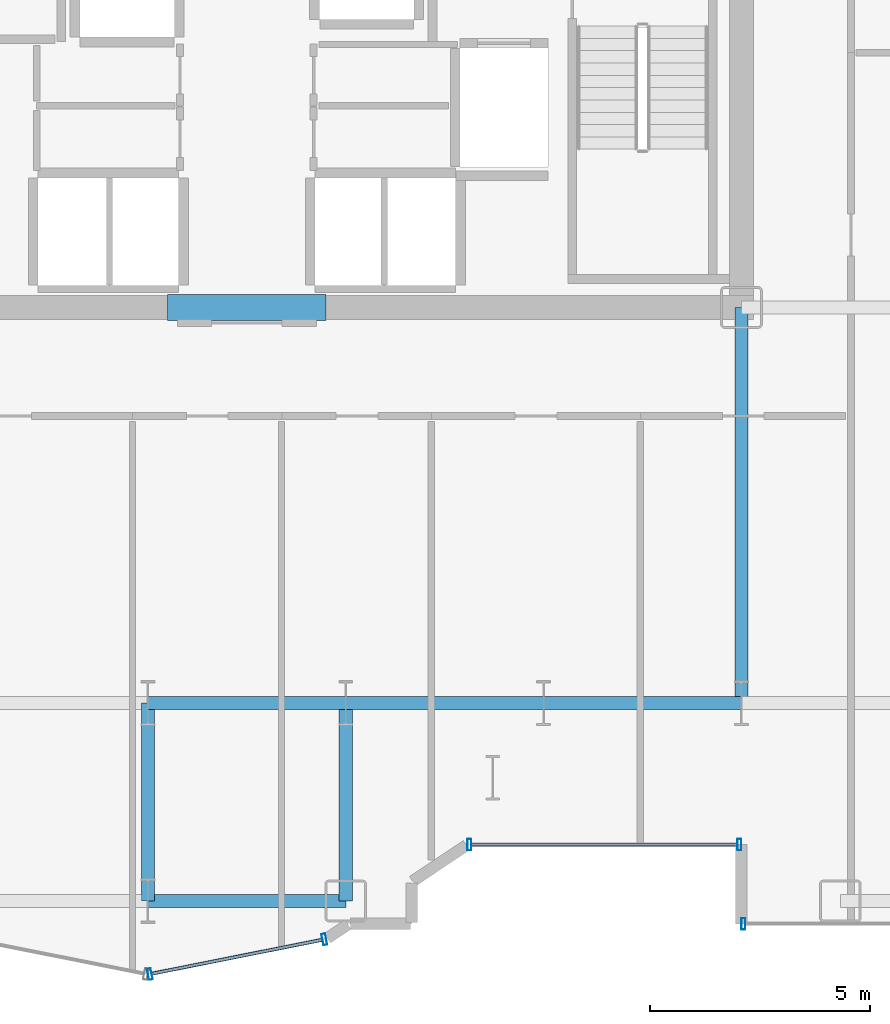
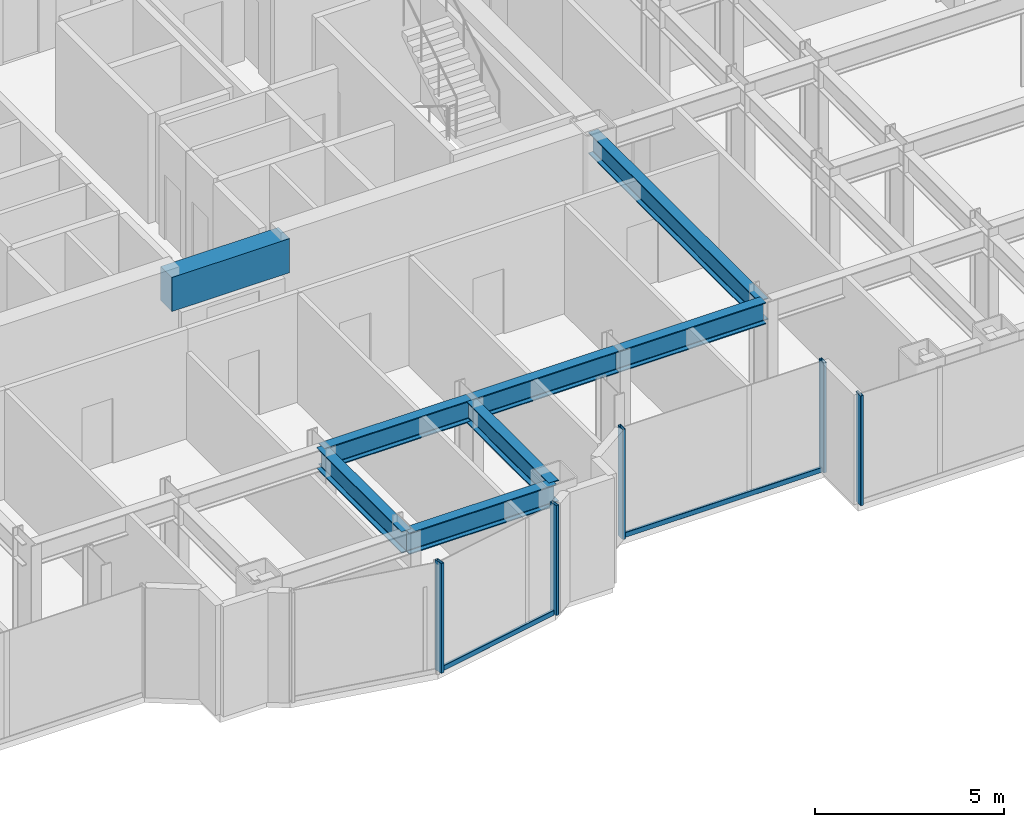
# One storey, part 6 of 26: 8 beams, 7 members, 3 elements without a shape of their own.
"""IFC4 building model written with IfcOpenShell, lengths in metres."""

from ifc_helpers import new_model, si_unit, direction, frame, origin, origin_2d, place, context, subcontext, project, spatial, rectangle, hollow_rectangle, i_section, extrude, source, transform, mapped, material, layer, layer_set, material_profile, profile_set, type_object, element, aggregate, save


model = new_model("IFC4")

# Units and contexts
model_context = context("Model", 3, precision=1e-05, world=origin(), true_north=direction((0.0, 1.0)))
body_context = subcontext(model_context, "Body", "Model", "MODEL_VIEW")
ifc_project = project(units=[si_unit("LENGTHUNIT", "METRE"), si_unit("AREAUNIT", "SQUARE_METRE"), si_unit("VOLUMEUNIT", "CUBIC_METRE"), si_unit("PLANEANGLEUNIT", "RADIAN"), si_unit("MASSUNIT", "GRAM", prefix="KILO")], contexts=[model_context])

# Site, building, storey
site_placement = place(None, origin())
site = spatial("IfcSite", under=ifc_project, at=site_placement, CompositionType="ELEMENT")
building_placement = place(site_placement, origin())
building = spatial("IfcBuilding", under=site, at=building_placement, Name="Nefas-Gora Pilgrimage Tower", CompositionType="ELEMENT")
storey_placement = place(building_placement, frame((0.0, 0.0, 106.0)))
storey = spatial("IfcBuildingStorey", under=building, at=storey_placement, Name="L25", CompositionType="ELEMENT", Elevation=106.0)

# Beams
ifc_material_1 = material(Name="Concrete C60/75", Category="concrete")
ifc_material_profile_1 = material_profile(ifc_material_1, rectangle(XDim=0.60009765625, YDim=1.10009765625, at=origin_2d()), Name="RC 600x1100")
ifc_profile_set_1 = profile_set([ifc_material_profile_1], Name="Concrete C60/75")
beam_type_1 = type_object("IfcBeamType", Name="BM-LIN-RC1100", PredefinedType="LINTEL", material=ifc_profile_set_1)
shared_shape_1 = source(origin(), body_context, "Body", "SweptSolid", [
    extrude(rectangle(XDim=0.60009765625, YDim=1.10009765625, at=origin_2d()), origin(), (0.0, 0.0, 1.0), 3.60009765625),
])
beam_1_placement = place(storey_placement, frame((-1.800048828125, -9.0, 3.0), z_axis=(1.0, 0.0, 0.0), x_axis=(0.0, 1.0, 0.0)))
element("IfcBeam", 1, at=beam_1_placement, inside=storey, type_object=beam_type_1, Name="L25 Core Coupling Lintel Beam S", PredefinedType="LINTEL", context=body_context, shape_type="MappedRepresentation", body=[
    mapped(shared_shape_1, transform((0.0, 0.0, 0.0), x_axis=(1.0, 0.0, 0.0), y_axis=(0.0, 1.0, 0.0), z_axis=(0.0, 0.0, 1.0), scale=1.0)),
])
ifc_material_2 = material(Name="Steel S355", Category="steel")
ifc_material_profile_2 = material_profile(ifc_material_2, i_section(OverallWidth=0.300048828125, OverallDepth=0.699951171875, WebThickness=0.01708984375, FlangeThickness=0.031982421875, FilletRadius=0.027099609375, at=origin_2d()), Name="HEB 700")
ifc_profile_set_2 = profile_set([ifc_material_profile_2], Name="Steel S355")
beam_type_2 = type_object("IfcBeamType", Name="BM-GIR-HEB700", PredefinedType="BEAM", material=ifc_profile_set_2)
shared_shape_2 = source(origin(), body_context, "Body", "SweptSolid", [
    extrude(i_section(OverallWidth=0.300048828125, OverallDepth=0.699951171875, WebThickness=0.01708984375, FlangeThickness=0.031982421875, FilletRadius=0.027099609375, at=origin_2d()), origin(), (0.0, 0.0, 1.0), 9.0),
])
beam_2_placement = place(storey_placement, frame((11.25, -18.0, 3.199951171875), z_axis=(0.0, 1.0, 0.0), x_axis=(-1.0, 0.0, 0.0)))
element("IfcBeam", 2, at=beam_2_placement, inside=storey, type_object=beam_type_2, Name="L25 G-02 beam", PredefinedType="BEAM", context=body_context, shape_type="MappedRepresentation", body=[
    mapped(shared_shape_2, transform((0.0, 0.0, 0.0), x_axis=(1.0, 0.0, 0.0), y_axis=(0.0, 1.0, 0.0), z_axis=(0.0, 0.0, 1.0), scale=1.0)),
])
shared_shape_3 = source(origin(), body_context, "Body", "SweptSolid", [
    extrude(i_section(OverallWidth=0.300048828125, OverallDepth=0.699951171875, WebThickness=0.01708984375, FlangeThickness=0.031982421875, FilletRadius=0.027099609375, at=origin_2d()), origin(), (0.0, 0.0, 1.0), 4.5),
])
for number, where, z_axis, x_axis, name in (
    (3, (-2.25, -22.5, 3.199951171875), (0.0, 1.0, 0.0), (-1.0, 0.0, 0.0), "L25 G-02 beam"),
    (4, (-2.25, -22.5, 3.199951171875), (1.0, 0.0, 0.0), (0.0, 1.0, 0.0), "L25 G-02 beam"),
    (5, (-2.25, -18.0, 3.199951171875), (1.0, 0.0, 0.0), (0.0, 1.0, 0.0), "L25 G-02 beam"),
    (6, (2.25, -22.5, 3.199951171875), (0.0, 1.0, 0.0), (-1.0, 0.0, 0.0), "L25 G-02 beam"),
    (7, (2.25, -18.0, 3.199951171875), (1.0, 0.0, 0.0), (0.0, 1.0, 0.0), "L25 G-02 beam"),
    (8, (6.75, -18.0, 3.199951171875), (1.0, 0.0, 0.0), (0.0, 1.0, 0.0), "L25 G-02 beam"),
):
    element("IfcBeam", number, at=place(storey_placement, frame(where, z_axis=z_axis, x_axis=x_axis)), inside=storey, type_object=beam_type_2, Name=name, PredefinedType="BEAM", context=body_context, shape_type="MappedRepresentation", body=[
        mapped(shared_shape_3, transform((0.0, 0.0, 0.0), x_axis=(1.0, 0.0, 0.0), y_axis=(0.0, 1.0, 0.0), z_axis=(0.0, 0.0, 1.0), scale=1.0)),
    ])

# Curtain wall, members
ifc_material_3 = material(Name="Dark ceramic-fritted solar-control aluminium-glass curtain wall", Category="aluminium")
ifc_layer_1 = layer(ifc_material_3, 0.219970703125)
ifc_layer_set_1 = layer_set([ifc_layer_1], Name="Dark ceramic-fritted solar-control aluminium-glass curtain wall")
curtain_wall_type_1 = type_object("IfcCurtainWallType", Name="CW-SYS-5", PredefinedType="NOTDEFINED", material=ifc_layer_set_1)
curtain_wall_1_placement = place(storey_placement, origin())
curtain_wall_1 = element("IfcCurtainWall", 9, at=curtain_wall_1_placement, inside=storey, type_object=curtain_wall_type_1, Name="L25 Unitised Curtain Wall CW5", PredefinedType="NOTDEFINED")
ifc_material_4 = material(Name="Anodised architectural aluminium", Category="aluminium")
ifc_material_profile_3 = material_profile(ifc_material_4, hollow_rectangle(XDim=0.090087890625, YDim=0.260009765625, WallThickness=0.006103515625, InnerFilletRadius=0.006103515625, OuterFilletRadius=0.011962890625, at=origin_2d()), Name="ALU MULLION 90x260")
ifc_profile_set_3 = profile_set([ifc_material_profile_3], Name="Anodised architectural aluminium")
member_type_1 = type_object("IfcMemberType", Name="CWM-MUL-5", PredefinedType="MULLION", material=ifc_profile_set_3)
shared_shape_4 = source(origin(), body_context, "Body", "SweptSolid", [
    extrude(hollow_rectangle(XDim=0.090087890625, YDim=0.260009765625, WallThickness=0.006103515625, InnerFilletRadius=0.006103515625, OuterFilletRadius=0.011962890625, at=origin_2d()), origin(), (0.0, 0.0, 1.0), 3.550048828125),
])
member_1_placement = place(storey_placement, frame((5.06298828125, -21.219970703125, 0.0), z_axis=(0.0, 0.0, 1.0), x_axis=(1.0, 0.0, 0.0)))
member_1 = element("IfcMember", 10, at=member_1_placement, type_object=member_type_1, Name="CW5 Mullion 1", PredefinedType="MULLION", context=body_context, shape_type="MappedRepresentation", body=[
    mapped(shared_shape_4, transform((0.0, 0.0, 0.0), x_axis=(1.0, 0.0, 0.0), y_axis=(0.0, 1.0, 0.0), z_axis=(0.0, 0.0, 1.0), scale=1.0)),
])
member_2_placement = place(storey_placement, frame((11.205078125, -21.219970703125, 0.0), z_axis=(0.0, 0.0, 1.0), x_axis=(1.0, 0.0, 0.0)))
member_2 = element("IfcMember", 11, at=member_2_placement, type_object=member_type_1, Name="CW5 Mullion 2", PredefinedType="MULLION", context=body_context, shape_type="MappedRepresentation", body=[
    mapped(shared_shape_4, transform((0.0, 0.0, 0.0), x_axis=(1.0, 0.0, 0.0), y_axis=(0.0, 1.0, 0.0), z_axis=(0.0, 0.0, 1.0), scale=1.0)),
])

curtain_wall_2_placement = place(storey_placement, origin())
curtain_wall_2 = element("IfcCurtainWall", 12, at=curtain_wall_2_placement, inside=storey, type_object=curtain_wall_type_1, Name="L25 Unitised Curtain Wall CW5", PredefinedType="NOTDEFINED")
member_3_placement = place(storey_placement, frame((-2.205810546875, -24.16357421875, 0.0), z_axis=(0.0, 0.0, 1.0), x_axis=(0.980782896852, 0.195102304554, 0.0)))
member_3 = element("IfcMember", 13, at=member_3_placement, type_object=member_type_1, Name="CW5 Mullion 1", PredefinedType="MULLION", context=body_context, shape_type="MappedRepresentation", body=[
    mapped(shared_shape_4, transform((0.0, 0.0, 0.0), x_axis=(1.0, 0.0, 0.0), y_axis=(0.0, 1.0, 0.0), z_axis=(0.0, 0.0, 1.0), scale=1.0)),
])
member_4_placement = place(storey_placement, frame((1.76318359375, -23.3740234375, 0.0), z_axis=(0.0, 0.0, 1.0), x_axis=(0.980782896852, 0.195102304554, 0.0)))
member_4 = element("IfcMember", 14, at=member_4_placement, type_object=member_type_1, Name="CW5 Mullion 2", PredefinedType="MULLION", context=body_context, shape_type="MappedRepresentation", body=[
    mapped(shared_shape_4, transform((0.0, 0.0, 0.0), x_axis=(1.0, 0.0, 0.0), y_axis=(0.0, 1.0, 0.0), z_axis=(0.0, 0.0, 1.0), scale=1.0)),
])

# Member
ifc_material_profile_4 = material_profile(ifc_material_4, hollow_rectangle(XDim=0.080078125, YDim=0.159912109375, WallThickness=0.00439453125, InnerFilletRadius=0.00439453125, OuterFilletRadius=0.009033203125, at=origin_2d()), Name="ALU TRANSOM 80x160")
ifc_profile_set_4 = profile_set([ifc_material_profile_4], Name="Anodised architectural aluminium")
member_type_2 = type_object("IfcMemberType", Name="CWM-TRN-5", PredefinedType="USERDEFINED", material=ifc_profile_set_4)
shared_shape_5 = source(origin(), body_context, "Body", "SweptSolid", [
    extrude(hollow_rectangle(XDim=0.080078125, YDim=0.159912109375, WallThickness=0.00439453125, InnerFilletRadius=0.00439453125, OuterFilletRadius=0.009033203125, at=origin_2d()), origin(), (0.0, 0.0, 1.0), 6.052001953125),
])
member_5_placement = place(storey_placement, frame((5.10791015625, -21.219970703125, 0.050048828125), z_axis=(1.0, 0.0, 0.0), x_axis=(0.0, 1.0, 0.0)))
member_5 = element("IfcMember", 15, at=member_5_placement, type_object=member_type_2, Name="CW5 Spandrel Transom", ObjectType="TRANSOM", PredefinedType="USERDEFINED", context=body_context, shape_type="MappedRepresentation", body=[
    mapped(shared_shape_5, transform((0.0, 0.0, 0.0), x_axis=(1.0, 0.0, 0.0), y_axis=(0.0, 1.0, 0.0), z_axis=(0.0, 0.0, 1.0), scale=1.0)),
])

aggregate(curtain_wall_1, [member_1, member_2, member_5])

# Curtain wall, member
ifc_layer_2 = layer(ifc_material_3, 0.219970703125)
ifc_layer_set_2 = layer_set([ifc_layer_2], Name="Dark ceramic-fritted solar-control aluminium-glass curtain wall")
curtain_wall_type_2 = type_object("IfcCurtainWallType", Name="CW-SYS-2", PredefinedType="NOTDEFINED", material=ifc_layer_set_2)
curtain_wall_3_placement = place(storey_placement, origin())
curtain_wall_3 = element("IfcCurtainWall", 16, at=curtain_wall_3_placement, inside=storey, type_object=curtain_wall_type_2, Name="L25 Unitised Curtain Wall CW2", PredefinedType="NOTDEFINED")
ifc_material_profile_5 = material_profile(ifc_material_4, hollow_rectangle(XDim=0.090087890625, YDim=0.260009765625, WallThickness=0.006103515625, InnerFilletRadius=0.006103515625, OuterFilletRadius=0.011962890625, at=origin_2d()), Name="ALU MULLION 90x260")
ifc_profile_set_5 = profile_set([ifc_material_profile_5], Name="Anodised architectural aluminium")
member_type_3 = type_object("IfcMemberType", Name="CWM-MUL-2", PredefinedType="MULLION", material=ifc_profile_set_5)
shared_shape_6 = source(origin(), body_context, "Body", "SweptSolid", [
    extrude(hollow_rectangle(XDim=0.090087890625, YDim=0.260009765625, WallThickness=0.006103515625, InnerFilletRadius=0.006103515625, OuterFilletRadius=0.011962890625, at=origin_2d()), origin(), (0.0, 0.0, 1.0), 3.550048828125),
])
member_6_placement = place(storey_placement, frame((11.294921875, -23.02001953125, 0.0), z_axis=(0.0, 0.0, 1.0), x_axis=(1.0, 0.0, 0.0)))
member_6 = element("IfcMember", 17, at=member_6_placement, type_object=member_type_3, Name="CW2 Mullion 1", PredefinedType="MULLION", context=body_context, shape_type="MappedRepresentation", body=[
    mapped(shared_shape_6, transform((0.0, 0.0, 0.0), x_axis=(1.0, 0.0, 0.0), y_axis=(0.0, 1.0, 0.0), z_axis=(0.0, 0.0, 1.0), scale=1.0)),
])
aggregate(curtain_wall_3, [member_6])

# Member
shared_shape_7 = source(origin(), body_context, "Body", "SweptSolid", [
    extrude(hollow_rectangle(XDim=0.080078125, YDim=0.159912109375, WallThickness=0.00439453125, InnerFilletRadius=0.00439453125, OuterFilletRadius=0.009033203125, at=origin_2d()), origin(), (0.0, 0.0, 1.0), 3.95654296875),
])
member_7_placement = place(storey_placement, frame((-2.16162109375, -24.15478515625, 0.050048828125), z_axis=(0.980781880918, 0.195107411605, 0.0), x_axis=(-0.195107411605, 0.980781880918, 0.0)))
member_7 = element("IfcMember", 18, at=member_7_placement, type_object=member_type_2, Name="CW5 Spandrel Transom", ObjectType="TRANSOM", PredefinedType="USERDEFINED", context=body_context, shape_type="MappedRepresentation", body=[
    mapped(shared_shape_7, transform((0.0, 0.0, 0.0), x_axis=(1.0, 0.0, 0.0), y_axis=(0.0, 1.0, 0.0), z_axis=(0.0, 0.0, 1.0), scale=1.0)),
])

aggregate(curtain_wall_2, [member_3, member_4, member_7])

save(model, "model.ifc")
